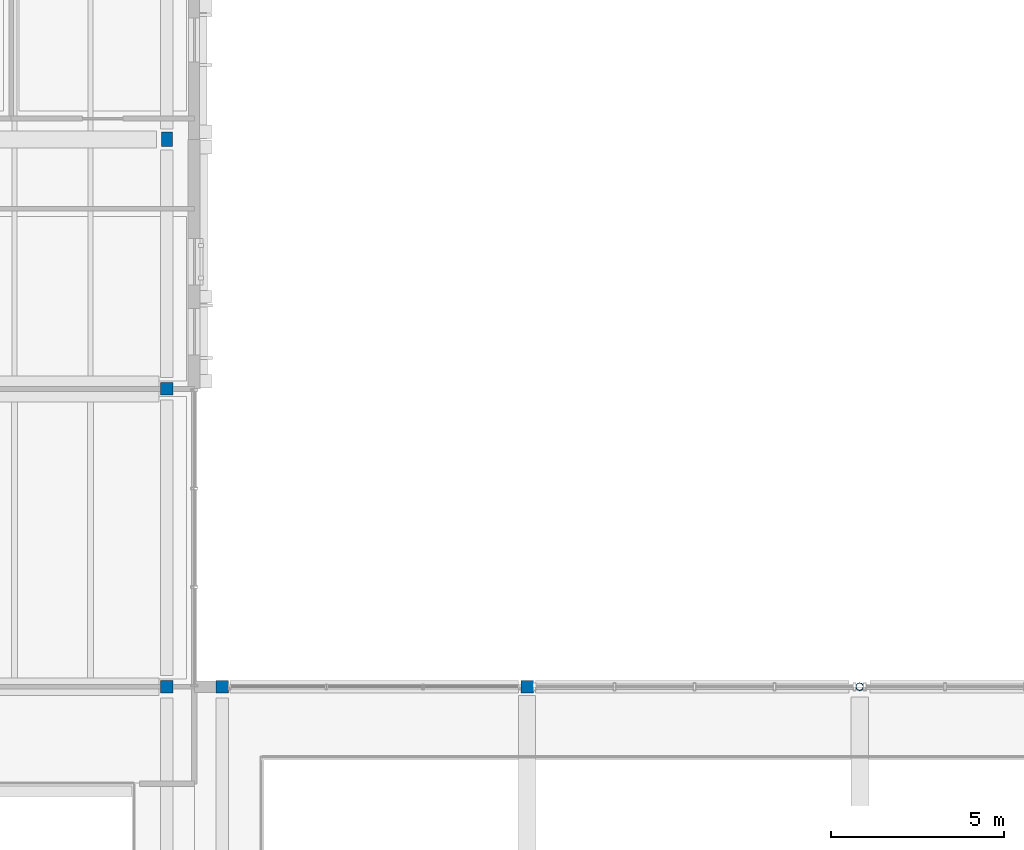
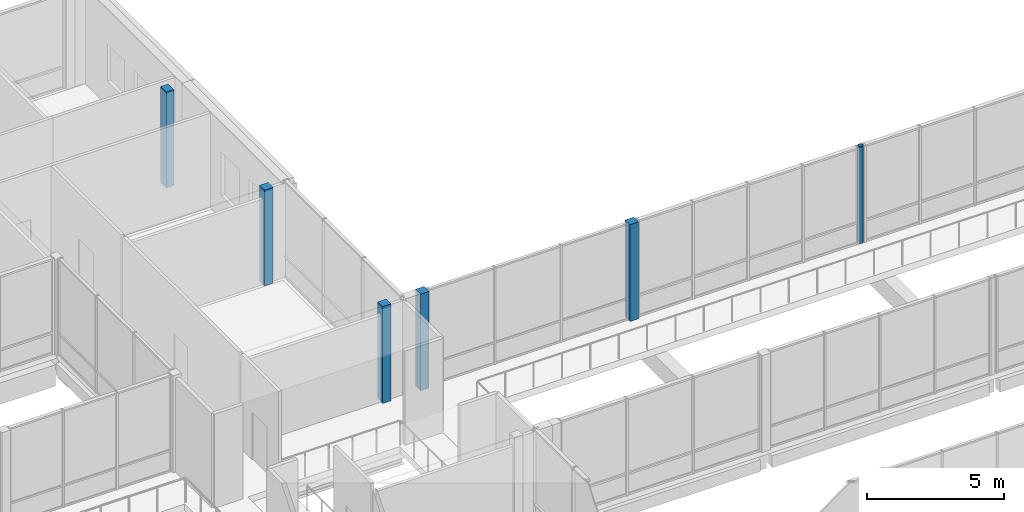
# One storey, part 12 of 146: 6 columns.
"""IFC4 building model written with IfcOpenShell, lengths in metres."""

import ifcopenshell
import ifcopenshell.guid

model = None  # the IFC model being written
_history = None  # IfcOwnerHistory: only IFC2X3 demands one
_inside = {}  # id of a spatial element -> (the spatial element, [elements in it])
_under = {}  # id of a project, library or spatial element -> (it, [spatial elements below it])
_declared = {}  # id of a project -> (the project, [libraries it declares])
_typed = {}  # id of a type object -> (the type object, [elements of that type])
_made_of = {}  # id of a material, layer set ... -> (it, [elements and type objects made of it])


def new_model(schema):
    """Start an empty IFC model of exactly this schema.

    Asked for "IFC4X3", IfcOpenShell would pick the latest addendum, in which some entities
    have other attributes; the version numbers below select the first issue.
    IFC2X3 requires an IfcOwnerHistory on every rooted entity: one is made here for all.
    """
    global model, _history
    if schema == "IFC4X3":
        model = ifcopenshell.file(schema_version=(4, 3, 0, 0))
    else:
        model = ifcopenshell.file(schema=schema)
    _inside.clear()
    _under.clear()
    _declared.clear()
    _typed.clear()
    _made_of.clear()
    _history = None
    if model.schema == "IFC2X3":
        org = make("IfcOrganization", Name="unknown")
        user = make(
            "IfcPersonAndOrganization",
            ThePerson=make("IfcPerson", FamilyName="unknown"),
            TheOrganization=org,
        )
        app = make(
            "IfcApplication",
            ApplicationDeveloper=org,
            Version="unknown",
            ApplicationFullName="unknown",
            ApplicationIdentifier="unknown",
        )
        _history = make(
            "IfcOwnerHistory",
            OwningUser=user,
            OwningApplication=app,
            ChangeAction="ADDED",
            CreationDate=0,
        )
    return model


def make(cls, **values):
    """One entity of the class cls with the attributes given. An attribute that is None is left unset."""
    return model.create_entity(
        cls, **{name: value for name, value in values.items() if value is not None}
    )


def rooted(cls, **values):
    """An entity with a GlobalId (a new one), such as an element, a storey or a relation."""
    return make(cls, GlobalId=ifcopenshell.guid.new(), OwnerHistory=_history, **values)


def si_unit(unit_type, name, prefix=None):
    """IfcSIUnit, for example si_unit("LENGTHUNIT", "METRE", prefix="MILLI")."""
    return make("IfcSIUnit", UnitType=unit_type, Prefix=prefix, Name=name)


def assignment(units):
    """IfcUnitAssignment: the units of a project."""
    return None if units is None else make("IfcUnitAssignment", Units=units)


def point(xyz):
    """IfcCartesianPoint."""
    return None if xyz is None else make("IfcCartesianPoint", Coordinates=xyz)


def direction(xyz):
    """IfcDirection."""
    return None if xyz is None else make("IfcDirection", DirectionRatios=xyz)


def frame(location, z_axis=None, x_axis=None):
    """IfcAxis2Placement3D, a coordinate frame: its origin and axes. An axis left out is left unset."""
    return make(
        "IfcAxis2Placement3D",
        Location=point(location),
        Axis=direction(z_axis),
        RefDirection=direction(x_axis),
    )


def frame_2d(location, x_axis=None):
    """IfcAxis2Placement2D, a coordinate frame in the plane: its origin and x axis."""
    return make(
        "IfcAxis2Placement2D", Location=point(location), RefDirection=direction(x_axis)
    )


def origin():
    """The frame at (0, 0, 0) with its axes left unset."""
    return frame((0.0, 0.0, 0.0))


def origin_2d():
    """The frame at (0, 0) in the plane with its x axis left unset."""
    return frame_2d((0.0, 0.0))


def place(relative_to, where):
    """IfcLocalPlacement: puts the frame where relative to a parent placement (None: the world)."""
    return make(
        "IfcLocalPlacement", PlacementRelTo=relative_to, RelativePlacement=where
    )


def context(
    kind, dimensions, precision=None, world=None, true_north=None, identifier=None
):
    """IfcGeometricRepresentationContext, for example the 3D "Model" context."""
    return make(
        "IfcGeometricRepresentationContext",
        ContextIdentifier=identifier,
        ContextType=kind,
        CoordinateSpaceDimension=dimensions,
        Precision=precision,
        WorldCoordinateSystem=world,
        TrueNorth=true_north,
    )


def subcontext(parent, identifier, kind, view, scale=None):
    """IfcGeometricRepresentationSubContext, for example "Body" below "Model"."""
    return make(
        "IfcGeometricRepresentationSubContext",
        ContextIdentifier=identifier,
        ContextType=kind,
        ParentContext=parent,
        TargetScale=scale,
        TargetView=view,
    )


def project(units=None, contexts=None):
    """IfcProject with its units and contexts."""
    return rooted(
        "IfcProject",
        Name="project",
        RepresentationContexts=contexts,
        UnitsInContext=assignment(units),
    )


def spatial(cls, under=None, at=None, **own):
    """A site, building, storey or space (cls), placed at a placement, below another one or the project."""
    s = rooted(cls, ObjectPlacement=at, **own)
    if under is not None:
        _under.setdefault(under.id(), (under, []))[1].append(s)
    return s


def profile(cls, at=None, kind="AREA", **sizes):
    """A parametric profile (cls). Its sizes go by their IFC names, for example OverallWidth=200.0."""
    return make(cls, ProfileType=kind, Position=at, **sizes)


def rectangle(**sizes):
    """IfcRectangleProfileDef."""
    return profile("IfcRectangleProfileDef", **sizes)


def hollow_circle(**sizes):
    """IfcCircleHollowProfileDef."""
    return profile("IfcCircleHollowProfileDef", **sizes)


def extrude(swept, where, along, depth):
    """IfcExtrudedAreaSolid: the profile swept, set in the frame where, extruded along a direction by depth."""
    return make(
        "IfcExtrudedAreaSolid",
        SweptArea=swept,
        Position=where,
        ExtrudedDirection=direction(along),
        Depth=depth,
    )


def shape(context_of_items, identifier, shape_type, items):
    """IfcShapeRepresentation: the items that make up one representation, for example the "Body"."""
    return make(
        "IfcShapeRepresentation",
        ContextOfItems=context_of_items,
        RepresentationIdentifier=identifier,
        RepresentationType=shape_type,
        Items=items,
    )


def material(Name=None, Category=None):
    """IfcMaterial."""
    return make("IfcMaterial", Name=Name, Category=Category)


def material_profile(
    of_material, cross_section, Name=None, Category=None, Priority=None
):
    """IfcMaterialProfile: a cross section and its material."""
    return make(
        "IfcMaterialProfile",
        Name=Name,
        Material=of_material,
        Profile=cross_section,
        Priority=Priority,
        Category=Category,
    )


def profile_set(profiles, Name=None, composite=None):
    """IfcMaterialProfileSet."""
    return make(
        "IfcMaterialProfileSet",
        Name=Name,
        MaterialProfiles=profiles,
        CompositeProfile=composite,
    )


def made_of(thing, what):
    """Note that an element or type object is made of a material, layer set ...; save() writes the relation."""
    if what is not None:
        _made_of.setdefault(what.id(), (what, []))[1].append(thing)
    return thing


def type_object(cls, material=None, **own):
    """A type object (cls), such as IfcWallType, which elements share."""
    return made_of(rooted(cls, **own), material)


def element(
    cls,
    number,
    at=None,
    inside=None,
    cuts=None,
    type_object=None,
    material=None,
    context=None,
    identifier="Body",
    shape_type=None,
    held_by="IfcProductDefinitionShape",
    body=None,
    shapes=None,
    **own,
):
    """One element of the class cls, such as IfcWall. Its Tag is "e" and its number.

    at: its placement. inside: the storey or other place that contains it. cuts: it is an
    opening in that element (IfcRelVoidsElement). A single representation is given by context,
    identifier, shape_type and body (its items); several are given by shapes. held_by: the class
    of the entity that holds the representations. save() writes the other relations.
    """
    e = rooted(cls, Tag="e%d" % number, ObjectPlacement=at, **own)
    if body is not None:
        shapes = [shape(context, identifier, shape_type, body)]
    if shapes is not None:
        e.Representation = make(held_by, Representations=shapes)
    if inside is not None:
        _inside.setdefault(inside.id(), (inside, []))[1].append(e)
    if cuts is not None:
        rooted(
            "IfcRelVoidsElement", RelatingBuildingElement=cuts, RelatedOpeningElement=e
        )
    if type_object is not None:
        _typed.setdefault(type_object.id(), (type_object, []))[1].append(e)
    return made_of(e, material)


def aggregate(whole, parts):
    """IfcRelAggregates: a whole, such as a stair, and the parts it consists of."""
    return rooted("IfcRelAggregates", RelatingObject=whole, RelatedObjects=parts)


def save(model, path):
    """Write the relations noted so far, then the file.

    IfcRelAggregates (storeys below a building ...), IfcRelContainedInSpatialStructure (elements
    in a storey), IfcRelDefinesByType, IfcRelAssociatesMaterial and IfcRelDeclares: one each for
    every whole, place, type object, material and project.
    """
    for whole, parts in _under.values():
        aggregate(whole, parts)
    for where, things in _inside.values():
        rooted(
            "IfcRelContainedInSpatialStructure",
            RelatedElements=things,
            RelatingStructure=where,
        )
    for kind, things in _typed.values():
        rooted("IfcRelDefinesByType", RelatedObjects=things, RelatingType=kind)
    for what, things in _made_of.values():
        rooted("IfcRelAssociatesMaterial", RelatedObjects=things, RelatingMaterial=what)
    for by, libraries in _declared.values():
        rooted("IfcRelDeclares", RelatingContext=by, RelatedDefinitions=libraries)
    model.write(path)


model = new_model("IFC4")

# Units and contexts
model_context = context("Model", 3, precision=1e-05, world=origin(), true_north=direction((0.0, 1.0)))
body_context = subcontext(model_context, "Body", "Model", "MODEL_VIEW")
ifc_project = project(units=[si_unit("LENGTHUNIT", "METRE"), si_unit("AREAUNIT", "SQUARE_METRE"), si_unit("VOLUMEUNIT", "CUBIC_METRE"), si_unit("PLANEANGLEUNIT", "RADIAN"), si_unit("MASSUNIT", "GRAM", prefix="KILO")], contexts=[model_context])

# Site, building, storey
site_placement = place(None, origin())
site = spatial("IfcSite", under=ifc_project, at=site_placement, CompositionType="ELEMENT")
building_placement = place(site_placement, origin())
building = spatial("IfcBuilding", under=site, at=building_placement, Name="Hawrajan Terrace Health Centre", CompositionType="ELEMENT")
storey_placement = place(building_placement, frame((0.0, 0.0, 4.5)))
storey = spatial("IfcBuildingStorey", under=building, at=storey_placement, Name="L01", CompositionType="ELEMENT", Elevation=4.5)

# Columns
ifc_material_1 = material(Name="Glulam GL32h", Category="wood")
ifc_material_profile_1 = material_profile(ifc_material_1, rectangle(XDim=0.320068359375, YDim=0.419921875, at=origin_2d()), Name="GL 320x420")
ifc_profile_set_1 = profile_set([ifc_material_profile_1], Name="Glulam GL32h")
column_type_1 = type_object("IfcColumnType", Name="GlulamCol_320x420", PredefinedType="COLUMN", material=ifc_profile_set_1)
column_1_placement = place(storey_placement, frame((71.0, 52.60009765625, 0.0), z_axis=(0.0, 0.0, 1.0), x_axis=(1.0, 0.0, 0.0)))
element("IfcColumn", 1, at=column_1_placement, inside=storey, type_object=column_type_1, Name="Column COL-L01-W-X10-Y7", PredefinedType="COLUMN", context=body_context, shape_type="SweptSolid", body=[
    extrude(rectangle(XDim=0.320068359375, YDim=0.419921875, at=origin_2d()), origin(), (0.0, 0.0, 1.0), 4.260009765625),
])
ifc_material_profile_2 = material_profile(ifc_material_1, rectangle(XDim=0.360107421875, YDim=0.360107421875, at=origin_2d()), Name="GL 360x360")
ifc_profile_set_2 = profile_set([ifc_material_profile_2], Name="Glulam GL32h")
column_type_2 = type_object("IfcColumnType", Name="GlulamCol_360x360", PredefinedType="COLUMN", material=ifc_profile_set_2)
for number, where, z_axis, x_axis, name in (
    (2, (72.60009765625, 36.800048828125, 0.0), (0.0, 0.0, 1.0), (1.0, 0.0, 0.0), "Column COL-L01-C-X10-Y5"),
    (3, (81.39990234375, 36.800048828125, 0.0), (0.0, 0.0, 1.0), (1.0, 0.0, 0.0), "Column COL-L01-C-X11-Y5"),
    (4, (71.0, 36.800048828125, 0.0), (0.0, 0.0, 1.0), (1.0, 0.0, 0.0), "Column COL-L01-W-X10-Y5"),
):
    element("IfcColumn", number, at=place(storey_placement, frame(where, z_axis=z_axis, x_axis=x_axis)), inside=storey, type_object=column_type_2, Name=name, PredefinedType="COLUMN", context=body_context, shape_type="SweptSolid", body=[
        extrude(rectangle(XDim=0.360107421875, YDim=0.360107421875, at=origin_2d()), origin(), (0.0, 0.0, 1.0), 4.300048828125),
    ])
column_2_placement = place(storey_placement, frame((71.0, 45.39990234375, 0.0), z_axis=(0.0, 0.0, 1.0), x_axis=(1.0, 0.0, 0.0)))
element("IfcColumn", 5, at=column_2_placement, inside=storey, type_object=column_type_2, Name="Column COL-L01-W-X10-Y6", PredefinedType="COLUMN", context=body_context, shape_type="SweptSolid", body=[
    extrude(rectangle(XDim=0.360107421875, YDim=0.360107421875, at=origin_2d()), origin(), (0.0, 0.0, 1.0), 4.260009765625),
])
ifc_material_2 = material(Name="Steel S355", Category="steel")
ifc_material_profile_3 = material_profile(ifc_material_2, hollow_circle(Radius=0.109619140625, WallThickness=0.010009765625, at=origin_2d()), Name="CHS 219.1x10.0")
ifc_profile_set_3 = profile_set([ifc_material_profile_3], Name="Steel S355")
column_type_3 = type_object("IfcColumnType", Name="SteelCol_CHS219", PredefinedType="COLUMN", material=ifc_profile_set_3)
column_3_placement = place(storey_placement, frame((91.0, 36.800048828125, 0.0), z_axis=(0.0, 0.0, 1.0), x_axis=(1.0, 0.0, 0.0)))
element("IfcColumn", 6, at=column_3_placement, inside=storey, type_object=column_type_3, Name="Column COL-L01-C-X12-Y5", PredefinedType="COLUMN", context=body_context, shape_type="SweptSolid", body=[
    extrude(hollow_circle(Radius=0.109619140625, WallThickness=0.010009765625, at=origin_2d()), origin(), (0.0, 0.0, 1.0), 4.300048828125),
])

save(model, "model.ifc")
